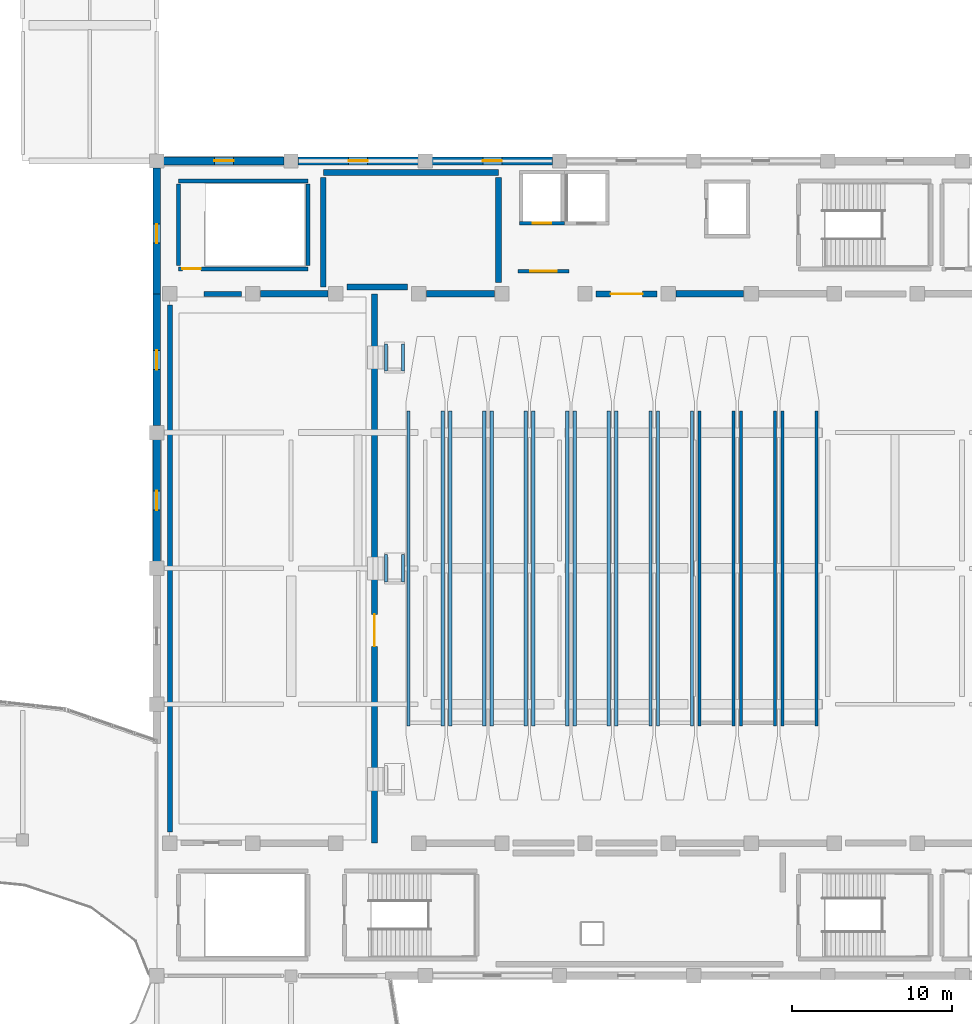
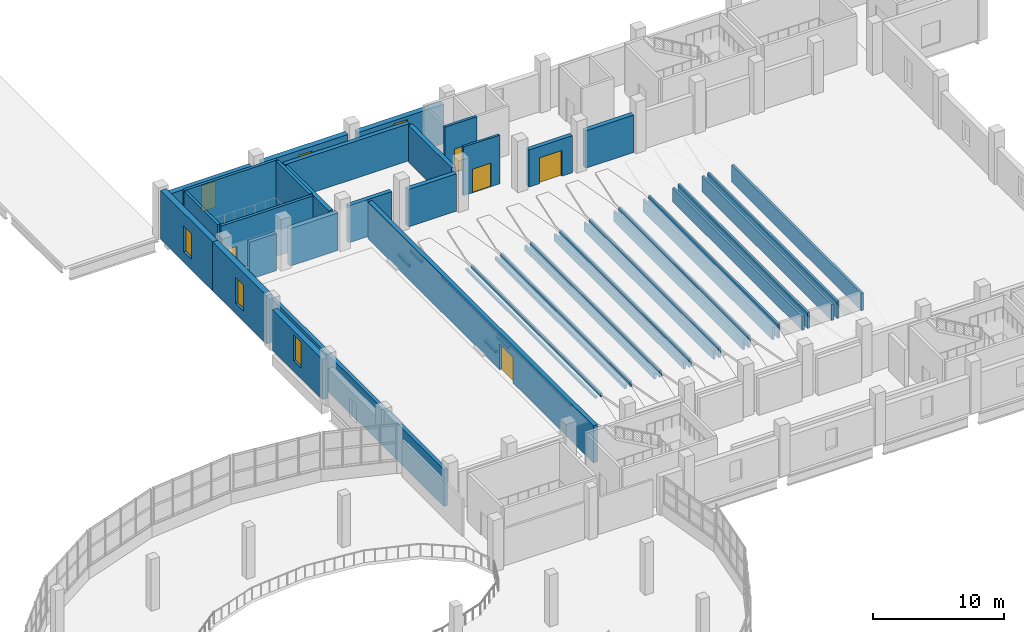
# One storey, part 99 of 117: 47 walls, 6 windows, 5 doors, 11 openings.
"""IFC4 building model written with IfcOpenShell, lengths in metres."""

from ifc_helpers import new_model, si_unit, direction, frame, frame_2d, origin, place, context, subcontext, project, spatial, rectangle, extrude, material, layer, layer_set, type_object, element, fill, save


model = new_model("IFC4")

# Units and contexts
model_context = context("Model", 3, precision=1e-05, world=origin(), true_north=direction((0.0, 1.0)))
body_context = subcontext(model_context, "Body", "Model", "MODEL_VIEW")
ifc_project = project(units=[si_unit("LENGTHUNIT", "METRE"), si_unit("AREAUNIT", "SQUARE_METRE"), si_unit("VOLUMEUNIT", "CUBIC_METRE"), si_unit("PLANEANGLEUNIT", "RADIAN"), si_unit("MASSUNIT", "GRAM", prefix="KILO")], contexts=[model_context])

# Site, building, storey
site_placement = place(None, origin())
site = spatial("IfcSite", under=ifc_project, at=site_placement, CompositionType="ELEMENT")
building_placement = place(site_placement, origin())
building = spatial("IfcBuilding", under=site, at=building_placement, Name="Solvento Point Concert Hall", CompositionType="ELEMENT")
storey_placement = place(building_placement, frame((0.0, 0.0, 5.39990234375)))
storey = spatial("IfcBuildingStorey", under=building, at=storey_placement, Name="L01", CompositionType="ELEMENT", Elevation=5.39990234375)

# Wall, opening, door
ifc_material_1 = material(Name="Acoustic Double-Stud Gypsum Partition")
ifc_layer_1 = layer(ifc_material_1, 0.2080078125)
ifc_layer_set_1 = layer_set([ifc_layer_1], Name="Acoustic Double-Stud Gypsum Partition")
wall_type_1 = type_object("IfcWallType", Name="AcousticPartition_208", PredefinedType="PARTITIONING", material=ifc_layer_set_1)
wall_1_placement = place(storey_placement, frame((97.0, 86.60009765625, 0.0), z_axis=(0.0, 0.0, 1.0), x_axis=(1.0, 0.0, 0.0)))
wall_1 = element("IfcWall", 1, at=wall_1_placement, inside=storey, type_object=wall_type_1, Name="Lift lobby partition LP-01 L01", PredefinedType="PARTITIONING", context=body_context, shape_type="SweptSolid", body=[
    extrude(rectangle(XDim=3.199951171875, YDim=0.2080078125, at=frame_2d((1.60009765625, 0.0))), origin(), (0.0, 0.0, 1.0), 4.530029296875),
])
opening_1_placement = place(wall_1_placement, frame((0.77490234375, 0.0, 0.0)))
opening_1 = element("IfcOpeningElement", 2, at=opening_1_placement, cuts=wall_1, Name="Opening D-FL1", PredefinedType="OPENING", context=body_context, shape_type="SweptSolid", body=[
    extrude(rectangle(XDim=1.64990234375, YDim=2.199951171875, at=frame_2d((0.824951171875, 1.10009765625))), frame((0.0, 0.114013671875, 0.0), z_axis=(0.0, -1.0, 0.0), x_axis=(1.0, 0.0, 0.0)), (0.0, 0.0, 1.0), 0.22802734375),
])
ifc_material_2 = material(Name="Hollow Metal Acoustic Fire Door")
door_type_1 = type_object("IfcDoorType", Name="FireLobbyDoor_1600", OperationType="DOUBLE_DOOR_SINGLE_SWING", PredefinedType="DOOR", material=ifc_material_2)
door_1_placement = place(opening_1_placement, origin())
door_1 = element("IfcDoor", 3, at=door_1_placement, inside=storey, type_object=door_type_1, Name="Lift lobby door LP-01 L01", OperationType="DOUBLE_DOOR_SINGLE_SWING", OverallHeight=2.199951171875, OverallWidth=1.64990234375, PredefinedType="DOOR", context=body_context, shape_type="SweptSolid", body=[
    extrude(rectangle(XDim=1.64990234375, YDim=2.199951171875, at=frame_2d((0.824951171875, 1.10009765625))), frame((0.0, 0.02490234375, 0.0), z_axis=(0.0, -1.0, 0.0), x_axis=(1.0, 0.0, 0.0)), (0.0, 0.0, 1.0), 0.050048828125),
])
fill(opening_1, door_1)

# Walls
ifc_material_3 = material(Name="Acoustic Double-Stud Gypsum Partition")
ifc_layer_2 = layer(ifc_material_3, 0.31494140625)
ifc_layer_set_2 = layer_set([ifc_layer_2], Name="Acoustic Double-Stud Gypsum Partition")
wall_type_2 = type_object("IfcWallType", Name="AcousticPartition_315", PredefinedType="PARTITIONING", material=ifc_layer_set_2)
wall_2_placement = place(storey_placement, frame((75.219970703125, 51.5, 0.0), z_axis=(0.0, 0.0, 1.0), x_axis=(0.0, 1.0, 0.0)))
element("IfcWall", 4, at=wall_2_placement, inside=storey, type_object=wall_type_2, Name="Interior acoustic partition PW-18 L01", PredefinedType="PARTITIONING", context=body_context, shape_type="SweptSolid", body=[
    extrude(rectangle(XDim=33.0, YDim=0.31494140625, at=frame_2d((16.5, 0.0))), origin(), (0.0, 0.0, 1.0), 3.4501953125),
])
wall_3_placement = place(storey_placement, frame((77.343505859375, 85.179931640625, 0.0), z_axis=(0.0, 0.0, 1.0), x_axis=(1.0, 0.0, 0.0)))
element("IfcWall", 5, at=wall_3_placement, inside=storey, type_object=wall_type_2, Name="Interior acoustic partition PW-18 L01", PredefinedType="PARTITIONING", context=body_context, shape_type="SweptSolid", body=[
    extrude(rectangle(XDim=2.3564453125, YDim=0.31494140625, at=frame_2d((1.17822265625, 0.0))), origin(), (0.0, 0.0, 1.0), 3.4501953125),
])

# Wall, opening, door
ifc_material_4 = material(Name="Acoustic Double-Stud Gypsum Partition")
ifc_layer_3 = layer(ifc_material_4, 0.364990234375)
ifc_layer_set_3 = layer_set([ifc_layer_3], Name="Acoustic Double-Stud Gypsum Partition")
wall_type_3 = type_object("IfcWallType", Name="AcousticPartition_365", PredefinedType="PARTITIONING", material=ifc_layer_set_3)
wall_4_placement = place(storey_placement, frame((101.89990234375, 85.179931640625, 0.0), z_axis=(0.0, 0.0, 1.0), x_axis=(1.0, 0.0, 0.0)))
wall_4 = element("IfcWall", 6, at=wall_4_placement, inside=storey, type_object=wall_type_3, Name="Interior acoustic partition PW-43 L01", PredefinedType="PARTITIONING", context=body_context, shape_type="SweptSolid", body=[
    extrude(rectangle(XDim=3.800048828125, YDim=0.364990234375, at=frame_2d((1.89990234375, 0.0))), origin(), (0.0, 0.0, 1.0), 3.4501953125),
])
opening_2_placement = place(wall_4_placement, frame((0.89990234375, 0.0, 0.0)))
opening_2 = element("IfcOpeningElement", 7, at=opening_2_placement, cuts=wall_4, Name="Opening D-AC1", PredefinedType="OPENING", context=body_context, shape_type="SweptSolid", body=[
    extrude(rectangle(XDim=2.0, YDim=2.39990234375, at=frame_2d((1.0, 1.199951171875))), frame((0.0, 0.1923828125, 0.0), z_axis=(0.0, -1.0, 0.0), x_axis=(1.0, 0.0, 0.0)), (0.0, 0.0, 1.0), 0.385009765625),
])
ifc_material_5 = material(Name="Brazilian Hardwood Acoustic Door", Category="wood")
door_type_2 = type_object("IfcDoorType", Name="AcousticLockDoor_2000", OperationType="DOUBLE_DOOR_SINGLE_SWING", PredefinedType="DOOR", material=ifc_material_5)
door_2_placement = place(opening_2_placement, origin())
door_2 = element("IfcDoor", 8, at=door_2_placement, inside=storey, type_object=door_type_2, Name="Interior door D-AC1 L01", OperationType="SINGLE_SWING_LEFT", OverallHeight=2.39990234375, OverallWidth=2.0, PredefinedType="DOOR", context=body_context, shape_type="SweptSolid", body=[
    extrude(rectangle(XDim=2.0, YDim=2.39990234375, at=frame_2d((1.0, 1.199951171875))), frame((0.0, 0.02490234375, 0.0), z_axis=(0.0, -1.0, 0.0), x_axis=(1.0, 0.0, 0.0)), (0.0, 0.0, 1.0), 0.050048828125),
])
fill(opening_2, door_2)

wall_5_placement = place(storey_placement, frame((88.02001953125, 50.820068359375, 0.0), z_axis=(0.0, 0.0, 1.0), x_axis=(0.0, 1.0, 0.0)))
wall_5 = element("IfcWall", 9, at=wall_5_placement, inside=storey, type_object=wall_type_3, Name="Interior acoustic partition PW-43 L01", PredefinedType="PARTITIONING", context=body_context, shape_type="SweptSolid", body=[
    extrude(rectangle(XDim=34.35986328125, YDim=0.364990234375, at=frame_2d((17.179931640625, 0.0))), origin(), (0.0, 0.0, 1.0), 3.4501953125),
])
opening_3_placement = place(wall_5_placement, frame((12.296875, 0.0, 0.0)))
opening_3 = element("IfcOpeningElement", 10, at=opening_3_placement, cuts=wall_5, Name="Opening D-AC1", PredefinedType="OPENING", context=body_context, shape_type="SweptSolid", body=[
    extrude(rectangle(XDim=2.0, YDim=2.39990234375, at=frame_2d((1.0, 1.199951171875))), frame((0.0, 0.1923828125, 0.0), z_axis=(0.0, -1.0, 0.0), x_axis=(1.0, 0.0, 0.0)), (0.0, 0.0, 1.0), 0.385009765625),
])
door_3_placement = place(opening_3_placement, origin())
door_3 = element("IfcDoor", 11, at=door_3_placement, inside=storey, type_object=door_type_2, Name="Interior door D-AC1 L01", OperationType="SINGLE_SWING_RIGHT", OverallHeight=2.39990234375, OverallWidth=2.0, PredefinedType="DOOR", context=body_context, shape_type="SweptSolid", body=[
    extrude(rectangle(XDim=2.0, YDim=2.39990234375, at=frame_2d((1.0, 1.199951171875))), frame((0.0, 0.02490234375, 0.0), z_axis=(0.0, -1.0, 0.0), x_axis=(1.0, 0.0, 0.0)), (0.0, 0.0, 1.0), 0.050048828125),
])
fill(opening_3, door_3)

# Walls
wall_6_placement = place(storey_placement, frame((84.820068359375, 92.780029296875, 0.0), z_axis=(0.0, 0.0, 1.0), x_axis=(1.0, 0.0, 0.0)))
element("IfcWall", 12, at=wall_6_placement, inside=storey, type_object=wall_type_3, Name="Interior acoustic partition PW-43 L01", PredefinedType="PARTITIONING", context=body_context, shape_type="SweptSolid", body=[
    extrude(rectangle(XDim=10.9599609375, YDim=0.364990234375, at=frame_2d((5.47998046875, 0.0))), origin(), (0.0, 0.0, 1.0), 3.4501953125),
])
wall_7_placement = place(storey_placement, frame((90.10009765625, 85.6201171875, 0.0), z_axis=(0.0, 0.0, 1.0), x_axis=(-1.0, 0.0, 0.0)))
element("IfcWall", 13, at=wall_7_placement, inside=storey, type_object=wall_type_3, Name="Interior acoustic partition PW-43 L01", PredefinedType="PARTITIONING", context=body_context, shape_type="SweptSolid", body=[
    extrude(rectangle(XDim=3.800048828125, YDim=0.364990234375, at=frame_2d((1.89990234375, 0.0))), origin(), (0.0, 0.0, 1.0), 3.4501953125),
])
wall_8_placement = place(storey_placement, frame((95.780029296875, 92.4599609375, 0.0), z_axis=(0.0, 0.0, 1.0), x_axis=(0.0, -1.0, 0.0)))
element("IfcWall", 14, at=wall_8_placement, inside=storey, type_object=wall_type_3, Name="Interior acoustic partition PW-43 L01", PredefinedType="PARTITIONING", context=body_context, shape_type="SweptSolid", body=[
    extrude(rectangle(XDim=6.56005859375, YDim=0.364990234375, at=frame_2d((3.280029296875, 0.0))), origin(), (0.0, 0.0, 1.0), 3.4501953125),
])
wall_9_placement = place(storey_placement, frame((84.820068359375, 85.6201171875, 0.0), z_axis=(0.0, 0.0, 1.0), x_axis=(0.0, 1.0, 0.0)))
element("IfcWall", 15, at=wall_9_placement, inside=storey, type_object=wall_type_3, Name="Interior acoustic partition PW-43 L01", PredefinedType="PARTITIONING", context=body_context, shape_type="SweptSolid", body=[
    extrude(rectangle(XDim=6.83984375, YDim=0.364990234375, at=frame_2d((3.419921875, 0.0))), origin(), (0.0, 0.0, 1.0), 3.4501953125),
])

# Wall, opening, door
ifc_material_6 = material(Name="Concrete C40/50", Category="concrete")
ifc_layer_4 = layer(ifc_material_6, 0.300048828125)
ifc_layer_set_4 = layer_set([ifc_layer_4], Name="Concrete C40/50")
wall_type_4 = type_object("IfcWallType", Name="CoreShearWall_300", PredefinedType="SHEAR", material=ifc_layer_set_4)
wall_10_placement = place(storey_placement, frame((83.85009765625, 86.75, 0.0), z_axis=(0.0, 0.0, 1.0), x_axis=(-1.0, 0.0, 0.0)))
wall_10 = element("IfcWall", 16, at=wall_10_placement, inside=storey, type_object=wall_type_4, Name="Stair core shear wall W-SH1 VOM-03 L01", PredefinedType="SHEAR", context=body_context, shape_type="SweptSolid", body=[
    extrude(rectangle(XDim=8.10009765625, YDim=0.25, at=frame_2d((4.050048828125, 0.0))), origin(), (0.0, 0.0, 1.0), 4.530029296875),
])
opening_4_placement = place(wall_10_placement, frame((6.699951171875, 0.0, 0.0)))
opening_4 = element("IfcOpeningElement", 17, at=opening_4_placement, cuts=wall_10, Name="Opening D-ST1", PredefinedType="OPENING", context=body_context, shape_type="SweptSolid", body=[
    extrude(rectangle(XDim=1.14990234375, YDim=2.179931640625, at=frame_2d((0.574951171875, 1.08984375))), frame((0.0, 0.135009765625, 0.0), z_axis=(0.0, -1.0, 0.0), x_axis=(1.0, 0.0, 0.0)), (0.0, 0.0, 1.0), 0.27001953125),
])
ifc_material_7 = material(Name="Hollow Metal Acoustic Fire Door")
door_type_3 = type_object("IfcDoorType", Name="StairFireDoor_1150", OperationType="NOTDEFINED", PredefinedType="DOOR", material=ifc_material_7)
door_4_placement = place(opening_4_placement, origin())
door_4 = element("IfcDoor", 18, at=door_4_placement, inside=storey, type_object=door_type_3, Name="Protected exit stair door VOM-03 L01", OperationType="SINGLE_SWING_LEFT", OverallHeight=2.179931640625, OverallWidth=1.14990234375, PredefinedType="DOOR", context=body_context, shape_type="SweptSolid", body=[
    extrude(rectangle(XDim=1.14990234375, YDim=2.179931640625, at=frame_2d((0.574951171875, 1.08984375))), frame((0.0, 0.02490234375, 0.0), z_axis=(0.0, -1.0, 0.0), x_axis=(1.0, 0.0, 0.0)), (0.0, 0.0, 1.0), 0.050048828125),
])
fill(opening_4, door_4)

# Walls
wall_11_placement = place(storey_placement, frame((75.75, 92.25, 0.0), z_axis=(0.0, 0.0, 1.0), x_axis=(1.0, 0.0, 0.0)))
element("IfcWall", 19, at=wall_11_placement, inside=storey, type_object=wall_type_4, Name="Stair core shear wall W-SH1 VOM-03 L01", PredefinedType="SHEAR", context=body_context, shape_type="SweptSolid", body=[
    extrude(rectangle(XDim=8.10009765625, YDim=0.25, at=frame_2d((4.050048828125, 0.0))), origin(), (0.0, 0.0, 1.0), 4.530029296875),
])
for number, where, z_axis, x_axis, name in (
    (20, (75.75, 86.949951171875, 0.0), (0.0, 0.0, 1.0), (0.0, 1.0, 0.0), "Stair core shear wall W-SH1 VOM-03 L01"),
    (21, (83.85009765625, 92.050048828125, 0.0), (0.0, 0.0, 1.0), (0.0, -1.0, 0.0), "Stair core shear wall W-SH1 VOM-03 L01"),
):
    element("IfcWall", number, at=place(storey_placement, frame(where, z_axis=z_axis, x_axis=x_axis)), inside=storey, type_object=wall_type_4, Name=name, PredefinedType="SHEAR", context=body_context, shape_type="SweptSolid", body=[
        extrude(rectangle(XDim=5.10009765625, YDim=0.25, at=frame_2d((2.550048828125, 0.0))), origin(), (0.0, 0.0, 1.0), 4.530029296875),
    ])
for number, where, z_axis, x_axis, name in (
    (22, (88.739990234375, 67.14501953125, 0.0), (0.0, 0.0, 1.0), (0.0, 1.0, 0.0), "Aisle landing support wall W-SH1 ST-ASL-02"),
    (23, (89.81005859375, 67.14501953125, 0.0), (0.0, 0.0, 1.0), (0.0, 1.0, 0.0), "Aisle landing support wall W-SH1 ST-ASL-02"),
    (24, (88.739990234375, 80.344970703125, 0.0), (0.0, 0.0, 1.0), (0.0, 1.0, 0.0), "Aisle landing support wall W-SH1 ST-ASL-03"),
    (25, (89.81005859375, 80.344970703125, 0.0), (0.0, 0.0, 1.0), (0.0, 1.0, 0.0), "Aisle landing support wall W-SH1 ST-ASL-03"),
):
    element("IfcWall", number, at=place(storey_placement, frame(where, z_axis=z_axis, x_axis=x_axis)), inside=storey, type_object=wall_type_4, Name=name, PredefinedType="SHEAR", context=body_context, shape_type="SweptSolid", body=[
        extrude(rectangle(XDim=1.7099609375, YDim=0.199951171875, at=frame_2d((0.85498046875, 0.0))), origin(), (0.0, 0.0, 1.0), 0.22509765625),
    ])

# Wall, opening, door
wall_12_placement = place(storey_placement, frame((97.090087890625, 89.60009765625, 0.0), z_axis=(0.0, 0.0, 1.0), x_axis=(1.0, 0.0, 0.0)))
wall_12 = element("IfcWall", 26, at=wall_12_placement, inside=storey, type_object=wall_type_4, Name="Elevator shaft shear wall W-SH1 LP-01 L01", PredefinedType="SHEAR", context=body_context, shape_type="SweptSolid", body=[
    extrude(rectangle(XDim=2.81982421875, YDim=0.219970703125, at=frame_2d((1.409912109375, 0.0))), origin(), (0.0, 0.0, 1.0), 4.530029296875),
])
opening_5_placement = place(wall_12_placement, frame((0.8349609375, 0.0, 0.0)))
opening_5 = element("IfcOpeningElement", 27, at=opening_5_placement, cuts=wall_12, Name="Opening LD-02", PredefinedType="OPENING", context=body_context, shape_type="SweptSolid", body=[
    extrude(rectangle(XDim=1.14990234375, YDim=2.199951171875, at=frame_2d((0.574951171875, 1.10009765625))), frame((0.0, 0.119873046875, 0.0), z_axis=(0.0, -1.0, 0.0), x_axis=(1.0, 0.0, 0.0)), (0.0, 0.0, 1.0), 0.239990234375),
])
ifc_material_8 = material(Name="Hollow Metal Acoustic Fire Door")
door_type_4 = type_object("IfcDoorType", Name="LiftLandingDoor_Pass", OperationType="SLIDING_TO_LEFT", PredefinedType="DOOR", material=ifc_material_8)
door_5_placement = place(opening_5_placement, origin())
door_5 = element("IfcDoor", 28, at=door_5_placement, inside=storey, type_object=door_type_4, Name="Elevator landing door LP-01 L01", OperationType="SLIDING_TO_LEFT", OverallHeight=2.199951171875, OverallWidth=1.14990234375, PredefinedType="DOOR", context=body_context, shape_type="SweptSolid", body=[
    extrude(rectangle(XDim=1.14990234375, YDim=2.199951171875, at=frame_2d((0.574951171875, 1.10009765625))), frame((0.0, 0.02490234375, 0.0), z_axis=(0.0, -1.0, 0.0), x_axis=(1.0, 0.0, 0.0)), (0.0, 0.0, 1.0), 0.050048828125),
])
fill(opening_5, door_5)

# Walls
ifc_material_9 = material(Name="Concrete C40/50", Category="concrete")
ifc_layer_5 = layer(ifc_material_9, 0.39990234375)
ifc_layer_set_5 = layer_set([ifc_layer_5], Name="Concrete C40/50")
wall_type_5 = type_object("IfcWallType", Name="DrumShearWall_400", PredefinedType="SHEAR", material=ifc_layer_set_5)
wall_13_placement = place(storey_placement, frame((80.8798828125, 85.199951171875, 0.0), z_axis=(0.0, 0.0, 1.0), x_axis=(1.0, 0.0, 0.0)))
element("IfcWall", 29, at=wall_13_placement, inside=storey, type_object=wall_type_5, Name="Symphonic acoustic drum shear wall W-DR1 L01", PredefinedType="SHEAR", context=body_context, shape_type="SweptSolid", body=[
    extrude(rectangle(XDim=4.240234375, YDim=0.39990234375, at=frame_2d((2.1201171875, 0.0))), origin(), (0.0, 0.0, 1.0), 3.47998046875),
])
wall_14_placement = place(storey_placement, frame((91.280029296875, 85.199951171875, 0.0), z_axis=(0.0, 0.0, 1.0), x_axis=(1.0, 0.0, 0.0)))
element("IfcWall", 30, at=wall_14_placement, inside=storey, type_object=wall_type_5, Name="Symphonic acoustic drum shear wall W-DR1 L01", PredefinedType="SHEAR", context=body_context, shape_type="SweptSolid", body=[
    extrude(rectangle(XDim=4.239990234375, YDim=0.39990234375, at=frame_2d((2.1201171875, 0.0))), origin(), (0.0, 0.0, 1.0), 3.47998046875),
])
wall_15_placement = place(storey_placement, frame((106.8798828125, 85.199951171875, 0.0), z_axis=(0.0, 0.0, 1.0), x_axis=(1.0, 0.0, 0.0)))
element("IfcWall", 31, at=wall_15_placement, inside=storey, type_object=wall_type_5, Name="Symphonic acoustic drum shear wall W-DR1 L01", PredefinedType="SHEAR", context=body_context, shape_type="SweptSolid", body=[
    extrude(rectangle(XDim=4.240234375, YDim=0.39990234375, at=frame_2d((2.1201171875, 0.0))), origin(), (0.0, 0.0, 1.0), 3.47998046875),
])

# Wall, opening, window
ifc_material_10 = material(Name="Concrete C40/50", Category="concrete")
ifc_layer_6 = layer(ifc_material_10, 0.47998046875)
ifc_layer_set_6 = layer_set([ifc_layer_6], Name="Concrete C40/50")
wall_type_6 = type_object("IfcWallType", Name="ExtWall_V1_Drum_480", PredefinedType="SOLIDWALL", material=ifc_layer_set_6)
wall_16_placement = place(storey_placement, frame((74.39990234375, 68.429931640625, 0.0), z_axis=(0.0, 0.0, 1.0), x_axis=(0.0, 1.0, 0.0)))
wall_16 = element("IfcWall", 32, at=wall_16_placement, inside=storey, type_object=wall_type_6, Name="Exterior architectural concrete wall EW-46 L01", PredefinedType="SOLIDWALL", context=body_context, shape_type="SweptSolid", body=[
    extrude(rectangle(XDim=7.64013671875, YDim=0.47998046875, at=frame_2d((3.820068359375, 0.0))), origin(), (0.0, 0.0, 1.0), 3.736083984375),
])
opening_6_placement = place(wall_16_placement, frame((3.219970703125, 0.0, 0.949951171875)))
opening_6 = element("IfcOpeningElement", 33, at=opening_6_placement, cuts=wall_16, Name="Opening WN-95", PredefinedType="OPENING", context=body_context, shape_type="SweptSolid", body=[
    extrude(rectangle(XDim=1.199951171875, YDim=2.39990234375, at=frame_2d((0.60009765625, 1.199951171875))), frame((0.0, 0.25, 0.0), z_axis=(0.0, -1.0, 0.0), x_axis=(1.0, 0.0, 0.0)), (0.0, 0.0, 1.0), 0.5),
])
ifc_material_11 = material(Name="Hurricane Laminated Low-E Glass", Category="glass")
window_type = type_object("IfcWindowType", Name="Win_V1_DrumSlot_L01", PartitioningType="SINGLE_PANEL", PredefinedType="WINDOW", material=ifc_material_11)
window_1_placement = place(opening_6_placement, origin())
window_1 = element("IfcWindow", 34, at=window_1_placement, inside=storey, type_object=window_type, Name="Impact acoustic window WN-95", OverallHeight=2.39990234375, OverallWidth=1.199951171875, PartitioningType="SINGLE_PANEL", PredefinedType="WINDOW", context=body_context, shape_type="SweptSolid", body=[
    extrude(rectangle(XDim=1.199951171875, YDim=2.39990234375, at=frame_2d((0.60009765625, 1.199951171875))), frame((0.0, 0.030029296875, 0.0), z_axis=(0.0, -1.0, 0.0), x_axis=(1.0, 0.0, 0.0)), (0.0, 0.0, 1.0), 0.06005859375),
])
fill(opening_6, window_1)

wall_17_placement = place(storey_placement, frame((74.39990234375, 76.929931640625, 0.0), z_axis=(0.0, 0.0, 1.0), x_axis=(0.0, 1.0, 0.0)))
wall_17 = element("IfcWall", 35, at=wall_17_placement, inside=storey, type_object=wall_type_6, Name="Exterior architectural concrete wall EW-46 L01", PredefinedType="SOLIDWALL", context=body_context, shape_type="SweptSolid", body=[
    extrude(rectangle(XDim=8.22998046875, YDim=0.47998046875, at=frame_2d((4.114990234375, 0.0))), origin(), (0.0, 0.0, 1.0), 4.530029296875),
])
opening_7_placement = place(wall_17_placement, frame((3.514892578125, 0.0, 0.949951171875)))
opening_7 = element("IfcOpeningElement", 36, at=opening_7_placement, cuts=wall_17, Name="Opening WN-95", PredefinedType="OPENING", context=body_context, shape_type="SweptSolid", body=[
    extrude(rectangle(XDim=1.199951171875, YDim=2.39990234375, at=frame_2d((0.60009765625, 1.199951171875))), frame((0.0, 0.25, 0.0), z_axis=(0.0, -1.0, 0.0), x_axis=(1.0, 0.0, 0.0)), (0.0, 0.0, 1.0), 0.5),
])
window_2_placement = place(opening_7_placement, origin())
window_2 = element("IfcWindow", 37, at=window_2_placement, inside=storey, type_object=window_type, Name="Impact acoustic window WN-95", OverallHeight=2.39990234375, OverallWidth=1.199951171875, PartitioningType="SINGLE_PANEL", PredefinedType="WINDOW", context=body_context, shape_type="SweptSolid", body=[
    extrude(rectangle(XDim=1.199951171875, YDim=2.39990234375, at=frame_2d((0.60009765625, 1.199951171875))), frame((0.0, 0.030029296875, 0.0), z_axis=(0.0, -1.0, 0.0), x_axis=(1.0, 0.0, 0.0)), (0.0, 0.0, 1.0), 0.06005859375),
])
fill(opening_7, window_2)

wall_18_placement = place(storey_placement, frame((74.39990234375, 84.840087890625, 0.0), z_axis=(0.0, 0.0, 1.0), x_axis=(0.0, 1.0, 0.0)))
wall_18 = element("IfcWall", 38, at=wall_18_placement, inside=storey, type_object=wall_type_6, Name="Exterior architectural concrete wall EW-46 L01", PredefinedType="SOLIDWALL", context=body_context, shape_type="SweptSolid", body=[
    extrude(rectangle(XDim=8.22998046875, YDim=0.47998046875, at=frame_2d((4.114990234375, 0.0))), origin(), (0.0, 0.0, 1.0), 4.530029296875),
])
opening_8_placement = place(wall_18_placement, frame((3.514892578125, 0.0, 0.949951171875)))
opening_8 = element("IfcOpeningElement", 39, at=opening_8_placement, cuts=wall_18, Name="Opening WN-95", PredefinedType="OPENING", context=body_context, shape_type="SweptSolid", body=[
    extrude(rectangle(XDim=1.199951171875, YDim=2.39990234375, at=frame_2d((0.60009765625, 1.199951171875))), frame((0.0, 0.25, 0.0), z_axis=(0.0, -1.0, 0.0), x_axis=(1.0, 0.0, 0.0)), (0.0, 0.0, 1.0), 0.5),
])
window_3_placement = place(opening_8_placement, origin())
window_3 = element("IfcWindow", 40, at=window_3_placement, inside=storey, type_object=window_type, Name="Impact acoustic window WN-95", OverallHeight=2.39990234375, OverallWidth=1.199951171875, PartitioningType="SINGLE_PANEL", PredefinedType="WINDOW", context=body_context, shape_type="SweptSolid", body=[
    extrude(rectangle(XDim=1.199951171875, YDim=2.39990234375, at=frame_2d((0.60009765625, 1.199951171875))), frame((0.0, 0.030029296875, 0.0), z_axis=(0.0, -1.0, 0.0), x_axis=(1.0, 0.0, 0.0)), (0.0, 0.0, 1.0), 0.06005859375),
])
fill(opening_8, window_3)

wall_19_placement = place(storey_placement, frame((74.830078125, 93.5, 0.0), z_axis=(0.0, 0.0, 1.0), x_axis=(1.0, 0.0, 0.0)))
wall_19 = element("IfcWall", 41, at=wall_19_placement, inside=storey, type_object=wall_type_6, Name="Exterior architectural concrete wall EW-46 L01", PredefinedType="SOLIDWALL", context=body_context, shape_type="SweptSolid", body=[
    extrude(rectangle(XDim=7.5400390625, YDim=0.47998046875, at=frame_2d((3.77001953125, 0.0))), origin(), (0.0, 0.0, 1.0), 3.736083984375),
])
opening_9_placement = place(wall_19_placement, frame((3.169921875, 0.0, 0.949951171875)))
opening_9 = element("IfcOpeningElement", 42, at=opening_9_placement, cuts=wall_19, Name="Opening WN-95", PredefinedType="OPENING", context=body_context, shape_type="SweptSolid", body=[
    extrude(rectangle(XDim=1.199951171875, YDim=2.39990234375, at=frame_2d((0.60009765625, 1.199951171875))), frame((0.0, 0.25, 0.0), z_axis=(0.0, -1.0, 0.0), x_axis=(1.0, 0.0, 0.0)), (0.0, 0.0, 1.0), 0.5),
])
window_4_placement = place(opening_9_placement, origin())
window_4 = element("IfcWindow", 43, at=window_4_placement, inside=storey, type_object=window_type, Name="Impact acoustic window WN-95", OverallHeight=2.39990234375, OverallWidth=1.199951171875, PartitioningType="SINGLE_PANEL", PredefinedType="WINDOW", context=body_context, shape_type="SweptSolid", body=[
    extrude(rectangle(XDim=1.199951171875, YDim=2.39990234375, at=frame_2d((0.60009765625, 1.199951171875))), frame((0.0, 0.030029296875, 0.0), z_axis=(0.0, -1.0, 0.0), x_axis=(1.0, 0.0, 0.0)), (0.0, 0.0, 1.0), 0.06005859375),
])
fill(opening_9, window_4)

wall_20_placement = place(storey_placement, frame((83.22998046875, 93.5, 0.0), z_axis=(0.0, 0.0, 1.0), x_axis=(1.0, 0.0, 0.0)))
wall_20 = element("IfcWall", 44, at=wall_20_placement, inside=storey, type_object=wall_type_6, Name="Exterior architectural concrete wall EW-46 L01", PredefinedType="SOLIDWALL", context=body_context, shape_type="SweptSolid", body=[
    extrude(rectangle(XDim=7.5400390625, YDim=0.47998046875, at=frame_2d((3.77001953125, 0.0))), origin(), (0.0, 0.0, 1.0), 3.795166015625),
])
opening_10_placement = place(wall_20_placement, frame((3.169921875, 0.0, 0.949951171875)))
opening_10 = element("IfcOpeningElement", 45, at=opening_10_placement, cuts=wall_20, Name="Opening WN-95", PredefinedType="OPENING", context=body_context, shape_type="SweptSolid", body=[
    extrude(rectangle(XDim=1.199951171875, YDim=2.39990234375, at=frame_2d((0.60009765625, 1.199951171875))), frame((0.0, 0.25, 0.0), z_axis=(0.0, -1.0, 0.0), x_axis=(1.0, 0.0, 0.0)), (0.0, 0.0, 1.0), 0.5),
])
window_5_placement = place(opening_10_placement, origin())
window_5 = element("IfcWindow", 46, at=window_5_placement, inside=storey, type_object=window_type, Name="Impact acoustic window WN-95", OverallHeight=2.39990234375, OverallWidth=1.199951171875, PartitioningType="SINGLE_PANEL", PredefinedType="WINDOW", context=body_context, shape_type="SweptSolid", body=[
    extrude(rectangle(XDim=1.199951171875, YDim=2.39990234375, at=frame_2d((0.60009765625, 1.199951171875))), frame((0.0, 0.030029296875, 0.0), z_axis=(0.0, -1.0, 0.0), x_axis=(1.0, 0.0, 0.0)), (0.0, 0.0, 1.0), 0.06005859375),
])
fill(opening_10, window_5)

wall_21_placement = place(storey_placement, frame((91.6298828125, 93.5, 0.0), z_axis=(0.0, 0.0, 1.0), x_axis=(1.0, 0.0, 0.0)))
wall_21 = element("IfcWall", 47, at=wall_21_placement, inside=storey, type_object=wall_type_6, Name="Exterior architectural concrete wall EW-46 L01", PredefinedType="SOLIDWALL", context=body_context, shape_type="SweptSolid", body=[
    extrude(rectangle(XDim=7.5400390625, YDim=0.47998046875, at=frame_2d((3.77001953125, 0.0))), origin(), (0.0, 0.0, 1.0), 3.651123046875),
])
opening_11_placement = place(wall_21_placement, frame((3.169921875, 0.0, 0.949951171875)))
opening_11 = element("IfcOpeningElement", 48, at=opening_11_placement, cuts=wall_21, Name="Opening WN-95", PredefinedType="OPENING", context=body_context, shape_type="SweptSolid", body=[
    extrude(rectangle(XDim=1.199951171875, YDim=2.39990234375, at=frame_2d((0.60009765625, 1.199951171875))), frame((0.0, 0.25, 0.0), z_axis=(0.0, -1.0, 0.0), x_axis=(1.0, 0.0, 0.0)), (0.0, 0.0, 1.0), 0.5),
])
window_6_placement = place(opening_11_placement, origin())
window_6 = element("IfcWindow", 49, at=window_6_placement, inside=storey, type_object=window_type, Name="Impact acoustic window WN-95", OverallHeight=2.39990234375, OverallWidth=1.199951171875, PartitioningType="SINGLE_PANEL", PredefinedType="WINDOW", context=body_context, shape_type="SweptSolid", body=[
    extrude(rectangle(XDim=1.199951171875, YDim=2.39990234375, at=frame_2d((0.60009765625, 1.199951171875))), frame((0.0, 0.030029296875, 0.0), z_axis=(0.0, -1.0, 0.0), x_axis=(1.0, 0.0, 0.0)), (0.0, 0.0, 1.0), 0.06005859375),
])
fill(opening_11, window_6)

# Walls
ifc_material_12 = material(Name="Concrete C35/45", Category="concrete")
ifc_layer_7 = layer(ifc_material_12, 0.25)
ifc_layer_set_7 = layer_set([ifc_layer_7], Name="Concrete C35/45")
wall_type_7 = type_object("IfcWallType", Name="TierSupportWall_250", PredefinedType="SHEAR", material=ifc_layer_set_7)
for number, where, z_axis, x_axis, name in (
    (50, (90.159912109375, 58.139892578125, 0.0), (0.0, 0.0, 1.0), (0.0, 1.0, 0.0), "Seating tier riser support wall W-TR1 TIER-L01-SYM-01"),
    (51, (92.2900390625, 58.139892578125, 0.0), (0.0, 0.0, 1.0), (0.0, 1.0, 0.0), "Seating tier rear support wall W-TR1 TIER-L01-SYM-01"),
):
    element("IfcWall", number, at=place(storey_placement, frame(where, z_axis=z_axis, x_axis=x_axis)), inside=storey, type_object=wall_type_7, Name=name, PredefinedType="SHEAR", context=body_context, shape_type="SweptSolid", body=[
        extrude(rectangle(XDim=19.72021484375, YDim=0.199951171875, at=frame_2d((9.860107421875, 0.0))), origin(), (0.0, 0.0, 1.0), 0.190185546875),
    ])
for number, where, z_axis, x_axis, name in (
    (52, (92.760009765625, 58.139892578125, 0.0), (0.0, 0.0, 1.0), (0.0, 1.0, 0.0), "Seating tier riser support wall W-TR1 TIER-L01-SYM-02"),
    (53, (94.889892578125, 58.139892578125, 0.0), (0.0, 0.0, 1.0), (0.0, 1.0, 0.0), "Seating tier rear support wall W-TR1 TIER-L01-SYM-02"),
):
    element("IfcWall", number, at=place(storey_placement, frame(where, z_axis=z_axis, x_axis=x_axis)), inside=storey, type_object=wall_type_7, Name=name, PredefinedType="SHEAR", context=body_context, shape_type="SweptSolid", body=[
        extrude(rectangle(XDim=19.72021484375, YDim=0.199951171875, at=frame_2d((9.860107421875, 0.0))), origin(), (0.0, 0.0, 1.0), 0.330078125),
    ])
for number, where, z_axis, x_axis, name in (
    (54, (95.360107421875, 58.139892578125, 0.0), (0.0, 0.0, 1.0), (0.0, 1.0, 0.0), "Seating tier riser support wall W-TR1 TIER-L01-SYM-03"),
    (55, (97.489990234375, 58.139892578125, 0.0), (0.0, 0.0, 1.0), (0.0, 1.0, 0.0), "Seating tier rear support wall W-TR1 TIER-L01-SYM-03"),
):
    element("IfcWall", number, at=place(storey_placement, frame(where, z_axis=z_axis, x_axis=x_axis)), inside=storey, type_object=wall_type_7, Name=name, PredefinedType="SHEAR", context=body_context, shape_type="SweptSolid", body=[
        extrude(rectangle(XDim=19.72021484375, YDim=0.199951171875, at=frame_2d((9.860107421875, 0.0))), origin(), (0.0, 0.0, 1.0), 0.510009765625),
    ])
for number, where, z_axis, x_axis, name in (
    (56, (97.9599609375, 58.139892578125, 0.0), (0.0, 0.0, 1.0), (0.0, 1.0, 0.0), "Seating tier riser support wall W-TR1 TIER-L01-SYM-04"),
    (57, (100.090087890625, 58.139892578125, 0.0), (0.0, 0.0, 1.0), (0.0, 1.0, 0.0), "Seating tier rear support wall W-TR1 TIER-L01-SYM-04"),
):
    element("IfcWall", number, at=place(storey_placement, frame(where, z_axis=z_axis, x_axis=x_axis)), inside=storey, type_object=wall_type_7, Name=name, PredefinedType="SHEAR", context=body_context, shape_type="SweptSolid", body=[
        extrude(rectangle(XDim=19.72021484375, YDim=0.199951171875, at=frame_2d((9.860107421875, 0.0))), origin(), (0.0, 0.0, 1.0), 0.650146484375),
    ])
for number, where, z_axis, x_axis, name in (
    (58, (100.56005859375, 58.139892578125, 0.0), (0.0, 0.0, 1.0), (0.0, 1.0, 0.0), "Seating tier riser support wall W-TR1 TIER-L01-SYM-05"),
    (59, (102.68994140625, 58.139892578125, 0.0), (0.0, 0.0, 1.0), (0.0, 1.0, 0.0), "Seating tier rear support wall W-TR1 TIER-L01-SYM-05"),
):
    element("IfcWall", number, at=place(storey_placement, frame(where, z_axis=z_axis, x_axis=x_axis)), inside=storey, type_object=wall_type_7, Name=name, PredefinedType="SHEAR", context=body_context, shape_type="SweptSolid", body=[
        extrude(rectangle(XDim=19.72021484375, YDim=0.199951171875, at=frame_2d((9.860107421875, 0.0))), origin(), (0.0, 0.0, 1.0), 0.830078125),
    ])
for number, where, z_axis, x_axis, name in (
    (60, (103.159912109375, 58.139892578125, 0.0), (0.0, 0.0, 1.0), (0.0, 1.0, 0.0), "Seating tier riser support wall W-TR1 TIER-L01-SYM-06"),
    (61, (105.2900390625, 58.139892578125, 0.0), (0.0, 0.0, 1.0), (0.0, 1.0, 0.0), "Seating tier rear support wall W-TR1 TIER-L01-SYM-06"),
):
    element("IfcWall", number, at=place(storey_placement, frame(where, z_axis=z_axis, x_axis=x_axis)), inside=storey, type_object=wall_type_7, Name=name, PredefinedType="SHEAR", context=body_context, shape_type="SweptSolid", body=[
        extrude(rectangle(XDim=19.72021484375, YDim=0.199951171875, at=frame_2d((9.860107421875, 0.0))), origin(), (0.0, 0.0, 1.0), 0.97021484375),
    ])
for number, where, z_axis, x_axis, name in (
    (62, (105.760009765625, 58.139892578125, 0.0), (0.0, 0.0, 1.0), (0.0, 1.0, 0.0), "Seating tier riser support wall W-TR1 TIER-L01-SYM-07"),
    (63, (107.889892578125, 58.139892578125, 0.0), (0.0, 0.0, 1.0), (0.0, 1.0, 0.0), "Seating tier rear support wall W-TR1 TIER-L01-SYM-07"),
):
    element("IfcWall", number, at=place(storey_placement, frame(where, z_axis=z_axis, x_axis=x_axis)), inside=storey, type_object=wall_type_7, Name=name, PredefinedType="SHEAR", context=body_context, shape_type="SweptSolid", body=[
        extrude(rectangle(XDim=19.72021484375, YDim=0.199951171875, at=frame_2d((9.860107421875, 0.0))), origin(), (0.0, 0.0, 1.0), 1.150146484375),
    ])
for number, where, z_axis, x_axis, name in (
    (64, (108.360107421875, 58.139892578125, 0.0), (0.0, 0.0, 1.0), (0.0, 1.0, 0.0), "Seating tier riser support wall W-TR1 TIER-L01-SYM-08"),
    (65, (110.489990234375, 58.139892578125, 0.0), (0.0, 0.0, 1.0), (0.0, 1.0, 0.0), "Seating tier rear support wall W-TR1 TIER-L01-SYM-08"),
):
    element("IfcWall", number, at=place(storey_placement, frame(where, z_axis=z_axis, x_axis=x_axis)), inside=storey, type_object=wall_type_7, Name=name, PredefinedType="SHEAR", context=body_context, shape_type="SweptSolid", body=[
        extrude(rectangle(XDim=19.72021484375, YDim=0.199951171875, at=frame_2d((9.860107421875, 0.0))), origin(), (0.0, 0.0, 1.0), 1.2900390625),
    ])
for number, where, z_axis, x_axis, name in (
    (66, (110.9599609375, 58.139892578125, 0.0), (0.0, 0.0, 1.0), (0.0, 1.0, 0.0), "Seating tier riser support wall W-TR1 TIER-L01-SYM-09"),
    (67, (113.090087890625, 58.139892578125, 0.0), (0.0, 0.0, 1.0), (0.0, 1.0, 0.0), "Seating tier rear support wall W-TR1 TIER-L01-SYM-09"),
):
    element("IfcWall", number, at=place(storey_placement, frame(where, z_axis=z_axis, x_axis=x_axis)), inside=storey, type_object=wall_type_7, Name=name, PredefinedType="SHEAR", context=body_context, shape_type="SweptSolid", body=[
        extrude(rectangle(XDim=19.72021484375, YDim=0.199951171875, at=frame_2d((9.860107421875, 0.0))), origin(), (0.0, 0.0, 1.0), 1.47021484375),
    ])
for number, where, z_axis, x_axis, name in (
    (68, (113.56005859375, 58.139892578125, 0.0), (0.0, 0.0, 1.0), (0.0, 1.0, 0.0), "Seating tier riser support wall W-TR1 TIER-L01-SYM-10"),
    (69, (115.68994140625, 58.139892578125, 0.0), (0.0, 0.0, 1.0), (0.0, 1.0, 0.0), "Seating tier rear support wall W-TR1 TIER-L01-SYM-10"),
):
    element("IfcWall", number, at=place(storey_placement, frame(where, z_axis=z_axis, x_axis=x_axis)), inside=storey, type_object=wall_type_7, Name=name, PredefinedType="SHEAR", context=body_context, shape_type="SweptSolid", body=[
        extrude(rectangle(XDim=19.72021484375, YDim=0.199951171875, at=frame_2d((9.860107421875, 0.0))), origin(), (0.0, 0.0, 1.0), 1.610107421875),
    ])

save(model, "model.ifc")
